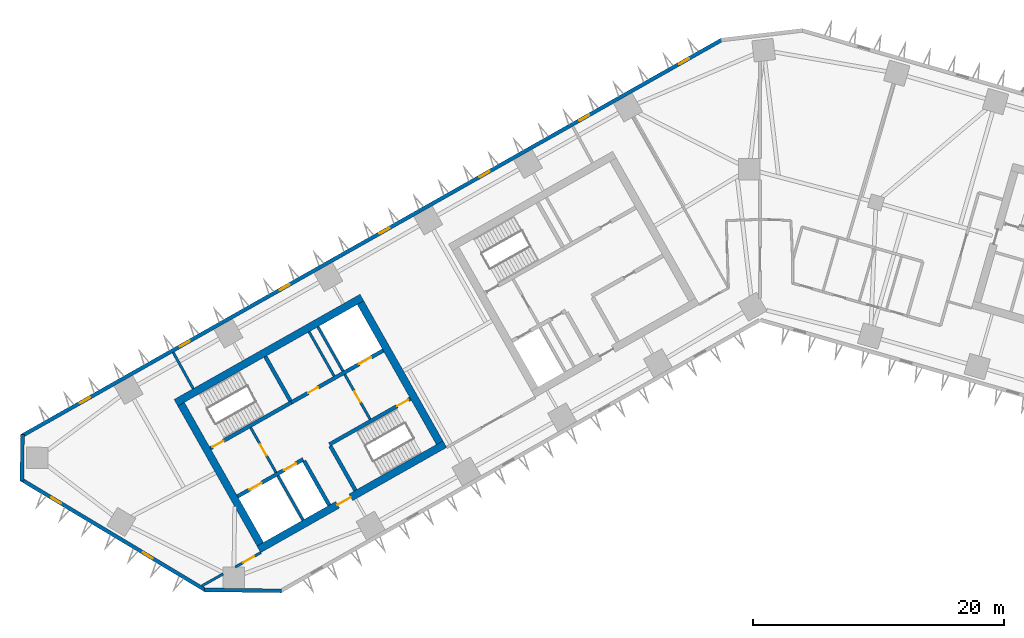
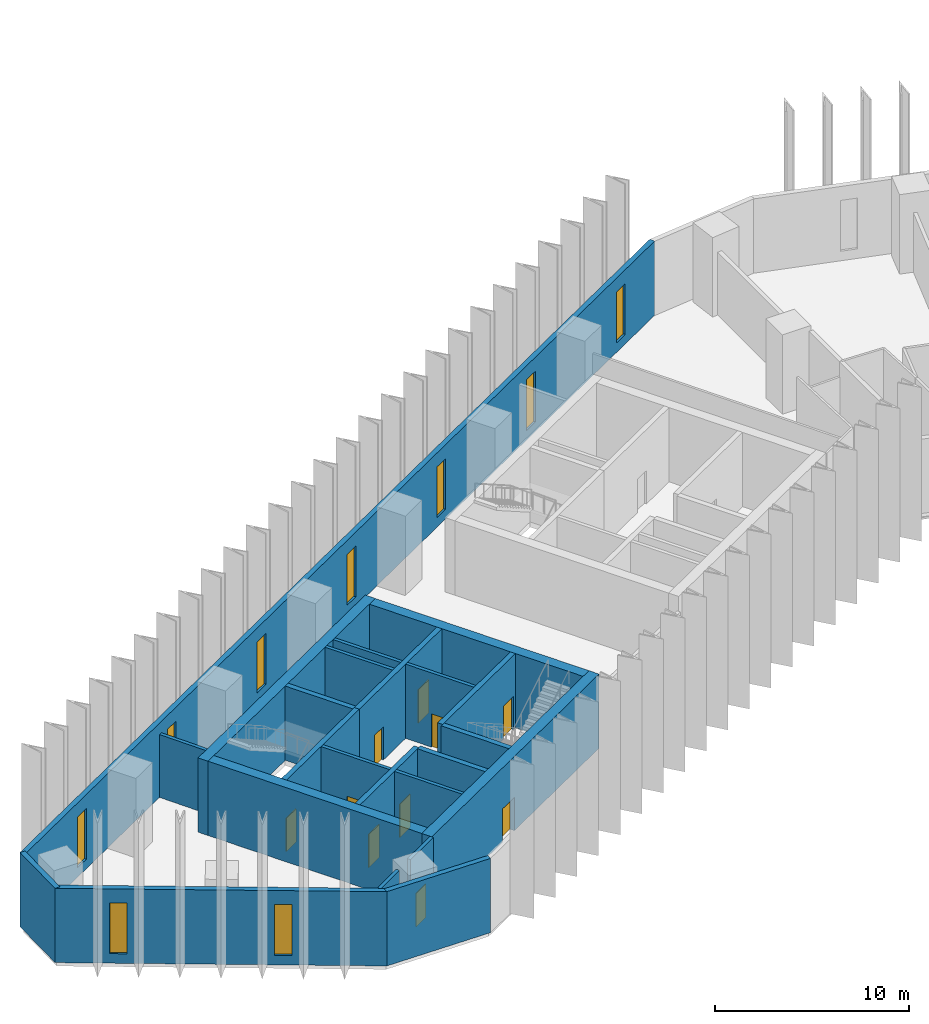
# One storey, part 3 of 11: 23 walls, 10 doors, 9 windows, 19 openings.
"""IFC4 building model written with IfcOpenShell, lengths in metres."""

from ifc_helpers import new_model, si_unit, direction, frame, frame_2d, origin, place, context, subcontext, project, spatial, rectangle, extrude, material, layer, layer_set, type_object, element, fill, save


model = new_model("IFC4")

# Units and contexts
model_context = context("Model", 3, precision=1e-05, world=origin(), true_north=direction((0.0, 1.0)))
body_context = subcontext(model_context, "Body", "Model", "MODEL_VIEW")
ifc_project = project(units=[si_unit("LENGTHUNIT", "METRE"), si_unit("AREAUNIT", "SQUARE_METRE"), si_unit("VOLUMEUNIT", "CUBIC_METRE"), si_unit("PLANEANGLEUNIT", "RADIAN"), si_unit("MASSUNIT", "GRAM", prefix="KILO")], contexts=[model_context])

# Site, building, storey
site_placement = place(None, origin())
site = spatial("IfcSite", under=ifc_project, at=site_placement, CompositionType="ELEMENT")
building_placement = place(site_placement, origin())
building = spatial("IfcBuilding", under=site, at=building_placement, Name="Binnacle Exchange Tower", CompositionType="ELEMENT")
storey_placement = place(building_placement, frame((0.0, 0.0, 46.5)))
storey = spatial("IfcBuildingStorey", under=building, at=storey_placement, Name="L09", CompositionType="ELEMENT", Elevation=46.5)

# Wall, openings, doors
ifc_material_1 = material(Name="Concrete C70/85", Category="concrete")
ifc_layer_1 = layer(ifc_material_1, 0.300048828125)
ifc_layer_set_1 = layer_set([ifc_layer_1], Name="Core wall - front 300")
wall_type_1 = type_object("IfcWallType", Name="Core wall - front 300", PredefinedType="SOLIDWALL", material=ifc_layer_set_1)
wall_1_placement = place(storey_placement, frame((-41.555908203125, 33.9609375, 0.0), z_axis=(0.0, 0.0, 1.0), x_axis=(0.870343731308, 0.492444706919, 0.0)))
wall_1 = element("IfcWall", 1, at=wall_1_placement, inside=storey, type_object=wall_type_1, Name="Core wall CRWA2", PredefinedType="SOLIDWALL", context=body_context, shape_type="SweptSolid", body=[
    extrude(rectangle(XDim=5.999755859375, YDim=0.300048828125, at=frame_2d((3.0, 0.0))), origin(), (0.0, 0.0, 1.0), 4.679931640625),
])
opening_1_placement = place(wall_1_placement, frame((1.099853515625, 0.0, 0.0)))
opening_1 = element("IfcOpeningElement", 2, at=opening_1_placement, cuts=wall_1, Name="Opening LD12", PredefinedType="OPENING", context=body_context, shape_type="SweptSolid", body=[
    extrude(rectangle(XDim=1.10009765625, YDim=2.10009765625, at=frame_2d((0.550048828125, 1.050048828125))), frame((0.0, 0.159912109375, 0.0), z_axis=(0.0, -1.0, 0.0), x_axis=(1.0, 0.0, 0.0)), (0.0, 0.0, 1.0), 0.320068359375),
])
opening_2_placement = place(wall_1_placement, frame((4.25, 0.0, 0.0)))
opening_2 = element("IfcOpeningElement", 3, at=opening_2_placement, cuts=wall_1, Name="Opening LD8", PredefinedType="OPENING", context=body_context, shape_type="SweptSolid", body=[
    extrude(rectangle(XDim=1.10009765625, YDim=2.10009765625, at=frame_2d((0.550048828125, 1.050048828125))), frame((0.0, 0.159912109375, 0.0), z_axis=(0.0, -1.0, 0.0), x_axis=(1.0, 0.0, 0.0)), (0.0, 0.0, 1.0), 0.320068359375),
])
ifc_material_2 = material(Name="Steel door leaf", Category="steel")
door_type_1 = type_object("IfcDoorType", Name="Fire door - lift landing 1100", OperationType="NOTDEFINED", PredefinedType="DOOR", material=ifc_material_2)
door_1_placement = place(opening_1_placement, origin())
door_1 = element("IfcDoor", 4, at=door_1_placement, inside=storey, type_object=door_type_1, Name="Landing door LD12 L09", OperationType="DOUBLE_DOOR_SLIDING", OverallHeight=2.10009765625, OverallWidth=1.10009765625, PredefinedType="DOOR", context=body_context, shape_type="SweptSolid", body=[
    extrude(rectangle(XDim=1.10009765625, YDim=2.10009765625, at=frame_2d((0.550048828125, 1.050048828125))), frame((0.0, 0.02490234375, 0.0), z_axis=(0.0, -1.0, 0.0), x_axis=(1.0, 0.0, 0.0)), (0.0, 0.0, 1.0), 0.050048828125),
])
fill(opening_1, door_1)
door_2_placement = place(opening_2_placement, origin())
door_2 = element("IfcDoor", 5, at=door_2_placement, inside=storey, type_object=door_type_1, Name="Landing door LD8 L09", OperationType="DOUBLE_DOOR_SLIDING", OverallHeight=2.10009765625, OverallWidth=1.10009765625, PredefinedType="DOOR", context=body_context, shape_type="SweptSolid", body=[
    extrude(rectangle(XDim=1.10009765625, YDim=2.10009765625, at=frame_2d((0.550048828125, 1.050048828125))), frame((0.0, 0.02490234375, 0.0), z_axis=(0.0, -1.0, 0.0), x_axis=(1.0, 0.0, 0.0)), (0.0, 0.0, 1.0), 0.050048828125),
])
fill(opening_2, door_2)

wall_2_placement = place(storey_placement, frame((-37.281982421875, 41.4345703125, 0.0), z_axis=(0.0, 0.0, 1.0), x_axis=(0.870356516133, 0.492422110414, 0.0)))
wall_2 = element("IfcWall", 6, at=wall_2_placement, inside=storey, type_object=wall_type_1, Name="Core wall CRWA5", PredefinedType="SOLIDWALL", context=body_context, shape_type="SweptSolid", body=[
    extrude(rectangle(XDim=8.399658203125, YDim=0.300048828125, at=frame_2d((4.19970703125, 0.0))), origin(), (0.0, 0.0, 1.0), 4.679931640625),
])
opening_3_placement = place(wall_2_placement, frame((6.199951171875, 0.0, 0.0)))
opening_3 = element("IfcOpeningElement", 7, at=opening_3_placement, cuts=wall_2, Name="Opening LD13", PredefinedType="OPENING", context=body_context, shape_type="SweptSolid", body=[
    extrude(rectangle(XDim=1.10009765625, YDim=2.10009765625, at=frame_2d((0.550048828125, 1.050048828125))), frame((0.0, 0.159912109375, 0.0), z_axis=(0.0, -1.0, 0.0), x_axis=(1.0, 0.0, 0.0)), (0.0, 0.0, 1.0), 0.320068359375),
])
opening_4_placement = place(wall_2_placement, frame((1.550048828125, 0.0, 0.0)))
opening_4 = element("IfcOpeningElement", 8, at=opening_4_placement, cuts=wall_2, Name="Opening DA10", PredefinedType="OPENING", context=body_context, shape_type="SweptSolid", body=[
    extrude(rectangle(XDim=0.89990234375, YDim=2.10009765625, at=frame_2d((0.449951171875, 1.050048828125))), frame((0.0, 0.159912109375, 0.0), z_axis=(0.0, -1.0, 0.0), x_axis=(1.0, 0.0, 0.0)), (0.0, 0.0, 1.0), 0.320068359375),
])
door_3_placement = place(opening_3_placement, origin())
door_3 = element("IfcDoor", 9, at=door_3_placement, inside=storey, type_object=door_type_1, Name="Landing door LD13 L09", OperationType="DOUBLE_DOOR_SLIDING", OverallHeight=2.10009765625, OverallWidth=1.10009765625, PredefinedType="DOOR", context=body_context, shape_type="SweptSolid", body=[
    extrude(rectangle(XDim=1.10009765625, YDim=2.10009765625, at=frame_2d((0.550048828125, 1.050048828125))), frame((0.0, 0.02490234375, 0.0), z_axis=(0.0, -1.0, 0.0), x_axis=(1.0, 0.0, 0.0)), (0.0, 0.0, 1.0), 0.050048828125),
])
fill(opening_3, door_3)
door_type_2 = type_object("IfcDoorType", Name="Fire door 900", OperationType="NOTDEFINED", PredefinedType="DOOR", material=ifc_material_2)
door_4_placement = place(opening_4_placement, origin())
door_4 = element("IfcDoor", 10, at=door_4_placement, inside=storey, type_object=door_type_2, Name="Core room door PANTRY", OperationType="SINGLE_SWING_LEFT", OverallHeight=2.10009765625, OverallWidth=0.89990234375, PredefinedType="DOOR", context=body_context, shape_type="SweptSolid", body=[
    extrude(rectangle(XDim=0.89990234375, YDim=2.10009765625, at=frame_2d((0.449951171875, 1.050048828125))), frame((0.0, 0.02490234375, 0.0), z_axis=(0.0, -1.0, 0.0), x_axis=(1.0, 0.0, 0.0)), (0.0, 0.0, 1.0), 0.050048828125),
])
fill(opening_4, door_4)

# Wall
wall_3_placement = place(storey_placement, frame((-36.260009765625, 36.784912109375, 0.0), z_axis=(0.0, 0.0, 1.0), x_axis=(0.492440575896, -0.870346068648, 0.0)))
element("IfcWall", 11, at=wall_3_placement, inside=storey, type_object=wall_type_1, Name="Core wall CRWA13", PredefinedType="SOLIDWALL", context=body_context, shape_type="SweptSolid", body=[
    extrude(rectangle(XDim=4.050048828125, YDim=0.300048828125, at=frame_2d((2.02490234375, 0.0))), origin(), (0.0, 0.0, 1.0), 4.679931640625),
])

# Wall, opening, door
ifc_layer_2 = layer(ifc_material_1, 0.60009765625)
ifc_layer_set_2 = layer_set([ifc_layer_2], Name="Core wall - outer 600")
wall_type_2 = type_object("IfcWallType", Name="Core wall - outer 600", PredefinedType="SOLIDWALL", material=ifc_layer_set_2)
wall_4_placement = place(storey_placement, frame((-39.8623046875, 29.748779296875, 0.0), z_axis=(0.0, 0.0, 1.0), x_axis=(0.870350116061, 0.492433422375, 0.0)))
wall_4 = element("IfcWall", 12, at=wall_4_placement, inside=storey, type_object=wall_type_2, Name="Core wall CRWA1", PredefinedType="SOLIDWALL", context=body_context, shape_type="SweptSolid", body=[
    extrude(rectangle(XDim=17.0, YDim=0.60009765625, at=frame_2d((8.5, 0.0))), origin(), (0.0, 0.0, 1.0), 4.679931640625),
])
opening_5_placement = place(wall_4_placement, frame((7.199951171875, 0.0, 0.0)))
opening_5 = element("IfcOpeningElement", 13, at=opening_5_placement, cuts=wall_4, Name="Opening DA7", PredefinedType="OPENING", context=body_context, shape_type="SweptSolid", body=[
    extrude(rectangle(XDim=1.199951171875, YDim=2.10009765625, at=frame_2d((0.60009765625, 1.050048828125))), frame((0.0, 0.31005859375, 0.0), z_axis=(0.0, -1.0, 0.0), x_axis=(1.0, 0.0, 0.0)), (0.0, 0.0, 1.0), 0.6201171875),
])
door_type_3 = type_object("IfcDoorType", Name="Fire door 1200", OperationType="NOTDEFINED", PredefinedType="DOOR", material=ifc_material_2)
door_5_placement = place(opening_5_placement, frame((1.199951171875, 0.0, 0.0), z_axis=(0.0, 0.0, 1.0), x_axis=(-1.0, 0.0, 0.0)))
door_5 = element("IfcDoor", 14, at=door_5_placement, inside=storey, type_object=door_type_3, Name="Lift lobby entrance door core A", OperationType="SINGLE_SWING_RIGHT", OverallHeight=2.10009765625, OverallWidth=1.199951171875, PredefinedType="DOOR", context=body_context, shape_type="SweptSolid", body=[
    extrude(rectangle(XDim=1.199951171875, YDim=2.10009765625, at=frame_2d((0.60009765625, 1.050048828125))), frame((0.0, 0.02490234375, 0.0), z_axis=(0.0, -1.0, 0.0), x_axis=(1.0, 0.0, 0.0)), (0.0, 0.0, 1.0), 0.050048828125),
])
fill(opening_5, door_5)

# Walls
wall_5_placement = place(storey_placement, frame((-46.460693359375, 41.41162109375, 0.0), z_axis=(0.0, 0.0, 1.0), x_axis=(0.870350116061, 0.492433422375, 0.0)))
element("IfcWall", 15, at=wall_5_placement, inside=storey, type_object=wall_type_2, Name="Core wall CRWA6", PredefinedType="SOLIDWALL", context=body_context, shape_type="SweptSolid", body=[
    extrude(rectangle(XDim=17.0, YDim=0.60009765625, at=frame_2d((8.5, 0.0))), origin(), (0.0, 0.0, 1.0), 4.679931640625),
])
for number, where, z_axis, x_axis, name in (
    (16, (-46.052001953125, 41.29833984375, 0.0), (0.0, 0.0, 1.0), (0.492418598281, -0.870358503186, 0.0), "Core wall CRWA7"),
    (17, (-31.7783203125, 49.3740234375, 0.0), (0.0, 0.0, 1.0), (0.492433046652, -0.870350328641, 0.0), "Core wall CRWA22"),
):
    element("IfcWall", number, at=place(storey_placement, frame(where, z_axis=z_axis, x_axis=x_axis)), inside=storey, type_object=wall_type_2, Name=name, PredefinedType="SOLIDWALL", context=body_context, shape_type="SweptSolid", body=[
        extrude(rectangle(XDim=12.800048828125, YDim=0.60009765625, at=frame_2d((6.39990234375, 0.0))), origin(), (0.0, 0.0, 1.0), 4.679931640625),
    ])

# Wall, opening, door
ifc_layer_3 = layer(ifc_material_1, 0.300048828125)
ifc_layer_set_3 = layer_set([ifc_layer_3], Name="Core wall - stair 300")
wall_type_3 = type_object("IfcWallType", Name="Core wall - stair 300", PredefinedType="SOLIDWALL", material=ifc_layer_set_3)
wall_6_placement = place(storey_placement, frame((-34.2451171875, 38.097412109375, 0.0), z_axis=(0.0, 0.0, 1.0), x_axis=(0.870364910201, 0.492407273597, 0.0)))
wall_6 = element("IfcWall", 18, at=wall_6_placement, inside=storey, type_object=wall_type_3, Name="Core wall CRWA3", PredefinedType="SOLIDWALL", context=body_context, shape_type="SweptSolid", body=[
    extrude(rectangle(XDim=7.39990234375, YDim=0.300048828125, at=frame_2d((3.699951171875, 0.0))), origin(), (0.0, 0.0, 1.0), 4.679931640625),
])
opening_6_placement = place(wall_6_placement, frame((6.199951171875, 0.0, 0.0)))
opening_6 = element("IfcOpeningElement", 19, at=opening_6_placement, cuts=wall_6, Name="Opening DA2", PredefinedType="OPENING", context=body_context, shape_type="SweptSolid", body=[
    extrude(rectangle(XDim=1.0, YDim=2.10009765625, at=frame_2d((0.5, 1.050048828125))), frame((0.0, 0.159912109375, 0.0), z_axis=(0.0, -1.0, 0.0), x_axis=(1.0, 0.0, 0.0)), (0.0, 0.0, 1.0), 0.320068359375),
])
door_type_4 = type_object("IfcDoorType", Name="Fire door 1000", OperationType="NOTDEFINED", PredefinedType="DOOR", material=ifc_material_2)
door_6_placement = place(opening_6_placement, frame((1.0, 0.0, 0.0), z_axis=(0.0, 0.0, 1.0), x_axis=(-1.0, 0.0, 0.0)))
door_6 = element("IfcDoor", 20, at=door_6_placement, inside=storey, type_object=door_type_4, Name="Stair door ST-A2", OperationType="SINGLE_SWING_LEFT", OverallHeight=2.10009765625, OverallWidth=1.0, PredefinedType="DOOR", context=body_context, shape_type="SweptSolid", body=[
    extrude(rectangle(XDim=1.0, YDim=2.10009765625, at=frame_2d((0.5, 1.050048828125))), frame((0.0, 0.02490234375, 0.0), z_axis=(0.0, -1.0, 0.0), x_axis=(1.0, 0.0, 0.0)), (0.0, 0.0, 1.0), 0.050048828125),
])
fill(opening_6, door_6)

wall_7_placement = place(storey_placement, frame((-43.72265625, 37.79052734375, 0.0), z_axis=(0.0, 0.0, 1.0), x_axis=(0.87035077051, 0.49243226567, 0.0)))
wall_7 = element("IfcWall", 21, at=wall_7_placement, inside=storey, type_object=wall_type_3, Name="Core wall CRWA4", PredefinedType="SOLIDWALL", context=body_context, shape_type="SweptSolid", body=[
    extrude(rectangle(XDim=7.400146484375, YDim=0.300048828125, at=frame_2d((3.7001953125, 0.0))), origin(), (0.0, 0.0, 1.0), 4.679931640625),
])
opening_7_placement = place(wall_7_placement, frame((0.199951171875, 0.0, 0.0)))
opening_7 = element("IfcOpeningElement", 22, at=opening_7_placement, cuts=wall_7, Name="Opening DA1", PredefinedType="OPENING", context=body_context, shape_type="SweptSolid", body=[
    extrude(rectangle(XDim=1.0, YDim=2.10009765625, at=frame_2d((0.5, 1.050048828125))), frame((0.0, 0.159912109375, 0.0), z_axis=(0.0, -1.0, 0.0), x_axis=(1.0, 0.0, 0.0)), (0.0, 0.0, 1.0), 0.320068359375),
])
door_7_placement = place(opening_7_placement, origin())
door_7 = element("IfcDoor", 23, at=door_7_placement, inside=storey, type_object=door_type_4, Name="Stair door ST-A1", OperationType="SINGLE_SWING_LEFT", OverallHeight=2.10009765625, OverallWidth=1.0, PredefinedType="DOOR", context=body_context, shape_type="SweptSolid", body=[
    extrude(rectangle(XDim=1.0, YDim=2.10009765625, at=frame_2d((0.5, 1.050048828125))), frame((0.0, 0.02490234375, 0.0), z_axis=(0.0, -1.0, 0.0), x_axis=(1.0, 0.0, 0.0)), (0.0, 0.0, 1.0), 0.050048828125),
])
fill(opening_7, door_7)

# Walls
wall_8_placement = place(storey_placement, frame((-39.350341796875, 45.090087890625, 0.0), z_axis=(0.0, 0.0, 1.0), x_axis=(0.49241474071, -0.870360685654, 0.0)))
element("IfcWall", 24, at=wall_8_placement, inside=storey, type_object=wall_type_3, Name="Core wall CRWA14", PredefinedType="SOLIDWALL", context=body_context, shape_type="SweptSolid", body=[
    extrude(rectangle(XDim=4.05029296875, YDim=0.300048828125, at=frame_2d((2.025146484375, 0.0))), origin(), (0.0, 0.0, 1.0), 4.679931640625),
])
wall_9_placement = place(storey_placement, frame((-34.171142578125, 37.966796875, 0.0), z_axis=(0.0, 0.0, 1.0), x_axis=(0.492394910396, -0.870371904542, 0.0)))
element("IfcWall", 25, at=wall_9_placement, inside=storey, type_object=wall_type_3, Name="Core wall CRWA16", PredefinedType="SOLIDWALL", context=body_context, shape_type="SweptSolid", body=[
    extrude(rectangle(XDim=4.0498046875, YDim=0.300048828125, at=frame_2d((2.02490234375, 0.0))), origin(), (0.0, 0.0, 1.0), 4.679931640625),
])

# Wall, openings, windows
ifc_material_3 = material(Name="Bronze aluminium cladding", Category="aluminium")
ifc_layer_4 = layer(ifc_material_3, 0.300048828125)
ifc_layer_set_4 = layer_set([ifc_layer_4], Name="External wall - spandrel 300")
wall_type_4 = type_object("IfcWallType", Name="External wall - spandrel 300", PredefinedType="STANDARD", material=ifc_layer_set_4)
wall_10_placement = place(storey_placement, frame((-58.744873046875, 38.763671875, 0.0), z_axis=(0.0, 0.0, 1.0), x_axis=(0.870355811726, 0.492423355453, 0.0)))
wall_10 = element("IfcWall", 26, at=wall_10_placement, inside=storey, type_object=wall_type_4, Name="External wall EW-F03 L09", PredefinedType="STANDARD", context=body_context, shape_type="SweptSolid", body=[
    extrude(rectangle(XDim=64.025390625, YDim=0.300048828125, at=frame_2d((32.0126953125, 0.0))), origin(), (0.0, 0.0, 1.0), 4.679931640625),
])
opening_8_placement = place(wall_10_placement, frame((60.12158203125, 0.0, 0.60009765625)))
opening_8 = element("IfcOpeningElement", 27, at=opening_8_placement, cuts=wall_10, Name="Opening WS1", PredefinedType="OPENING", context=body_context, shape_type="SweptSolid", body=[
    extrude(rectangle(XDim=0.89990234375, YDim=3.199951171875, at=frame_2d((0.449951171875, 1.60009765625))), frame((0.0, 0.159912109375, 0.0), z_axis=(0.0, -1.0, 0.0), x_axis=(1.0, 0.0, 0.0)), (0.0, 0.0, 1.0), 0.320068359375),
])
opening_9_placement = place(wall_10_placement, frame((50.99169921875, 0.0, 0.60009765625)))
opening_9 = element("IfcOpeningElement", 28, at=opening_9_placement, cuts=wall_10, Name="Opening WS1", PredefinedType="OPENING", context=body_context, shape_type="SweptSolid", body=[
    extrude(rectangle(XDim=0.89990234375, YDim=3.199951171875, at=frame_2d((0.449951171875, 1.60009765625))), frame((0.0, 0.159912109375, 0.0), z_axis=(0.0, -1.0, 0.0), x_axis=(1.0, 0.0, 0.0)), (0.0, 0.0, 1.0), 0.320068359375),
])
opening_10_placement = place(wall_10_placement, frame((41.86181640625, 0.0, 0.60009765625)))
opening_10 = element("IfcOpeningElement", 29, at=opening_10_placement, cuts=wall_10, Name="Opening WS1", PredefinedType="OPENING", context=body_context, shape_type="SweptSolid", body=[
    extrude(rectangle(XDim=0.89990234375, YDim=3.199951171875, at=frame_2d((0.449951171875, 1.60009765625))), frame((0.0, 0.159912109375, 0.0), z_axis=(0.0, -1.0, 0.0), x_axis=(1.0, 0.0, 0.0)), (0.0, 0.0, 1.0), 0.320068359375),
])
opening_11_placement = place(wall_10_placement, frame((32.73193359375, 0.0, 0.60009765625)))
opening_11 = element("IfcOpeningElement", 30, at=opening_11_placement, cuts=wall_10, Name="Opening WS1", PredefinedType="OPENING", context=body_context, shape_type="SweptSolid", body=[
    extrude(rectangle(XDim=0.89990234375, YDim=3.199951171875, at=frame_2d((0.449951171875, 1.60009765625))), frame((0.0, 0.159912109375, 0.0), z_axis=(0.0, -1.0, 0.0), x_axis=(1.0, 0.0, 0.0)), (0.0, 0.0, 1.0), 0.320068359375),
])
opening_12_placement = place(wall_10_placement, frame((23.60205078125, 0.0, 0.60009765625)))
opening_12 = element("IfcOpeningElement", 31, at=opening_12_placement, cuts=wall_10, Name="Opening WS1", PredefinedType="OPENING", context=body_context, shape_type="SweptSolid", body=[
    extrude(rectangle(XDim=0.89990234375, YDim=3.199951171875, at=frame_2d((0.449951171875, 1.60009765625))), frame((0.0, 0.159912109375, 0.0), z_axis=(0.0, -1.0, 0.0), x_axis=(1.0, 0.0, 0.0)), (0.0, 0.0, 1.0), 0.320068359375),
])
opening_13_placement = place(wall_10_placement, frame((14.47216796875, 0.0, 0.60009765625)))
opening_13 = element("IfcOpeningElement", 32, at=opening_13_placement, cuts=wall_10, Name="Opening WS1", PredefinedType="OPENING", context=body_context, shape_type="SweptSolid", body=[
    extrude(rectangle(XDim=0.89990234375, YDim=3.199951171875, at=frame_2d((0.449951171875, 1.60009765625))), frame((0.0, 0.159912109375, 0.0), z_axis=(0.0, -1.0, 0.0), x_axis=(1.0, 0.0, 0.0)), (0.0, 0.0, 1.0), 0.320068359375),
])
opening_14_placement = place(wall_10_placement, frame((5.34228515625, 0.0, 0.60009765625)))
opening_14 = element("IfcOpeningElement", 33, at=opening_14_placement, cuts=wall_10, Name="Opening WS1", PredefinedType="OPENING", context=body_context, shape_type="SweptSolid", body=[
    extrude(rectangle(XDim=0.89990234375, YDim=3.199951171875, at=frame_2d((0.449951171875, 1.60009765625))), frame((0.0, 0.159912109375, 0.0), z_axis=(0.0, -1.0, 0.0), x_axis=(1.0, 0.0, 0.0)), (0.0, 0.0, 1.0), 0.320068359375),
])
ifc_material_4 = material(Name="Bronze anodised aluminium frame", Category="aluminium")
window_type = type_object("IfcWindowType", Name="WS1 WINDOW 900x3200", PartitioningType="SINGLE_PANEL", PredefinedType="WINDOW", material=ifc_material_4)
window_1_placement = place(opening_8_placement, origin())
window_1 = element("IfcWindow", 34, at=window_1_placement, inside=storey, type_object=window_type, Name="Window WS1 L09", OverallHeight=3.199951171875, OverallWidth=0.89990234375, PartitioningType="SINGLE_PANEL", PredefinedType="WINDOW", context=body_context, shape_type="SweptSolid", body=[
    extrude(rectangle(XDim=0.89990234375, YDim=3.199951171875, at=frame_2d((0.449951171875, 1.60009765625))), frame((0.0, 0.030029296875, 0.0), z_axis=(0.0, -1.0, 0.0), x_axis=(1.0, 0.0, 0.0)), (0.0, 0.0, 1.0), 0.06005859375),
])
fill(opening_8, window_1)
window_2_placement = place(opening_9_placement, origin())
window_2 = element("IfcWindow", 35, at=window_2_placement, inside=storey, type_object=window_type, Name="Window WS1 L09", OverallHeight=3.199951171875, OverallWidth=0.89990234375, PartitioningType="SINGLE_PANEL", PredefinedType="WINDOW", context=body_context, shape_type="SweptSolid", body=[
    extrude(rectangle(XDim=0.89990234375, YDim=3.199951171875, at=frame_2d((0.449951171875, 1.60009765625))), frame((0.0, 0.030029296875, 0.0), z_axis=(0.0, -1.0, 0.0), x_axis=(1.0, 0.0, 0.0)), (0.0, 0.0, 1.0), 0.06005859375),
])
fill(opening_9, window_2)
window_3_placement = place(opening_10_placement, origin())
window_3 = element("IfcWindow", 36, at=window_3_placement, inside=storey, type_object=window_type, Name="Window WS1 L09", OverallHeight=3.199951171875, OverallWidth=0.89990234375, PartitioningType="SINGLE_PANEL", PredefinedType="WINDOW", context=body_context, shape_type="SweptSolid", body=[
    extrude(rectangle(XDim=0.89990234375, YDim=3.199951171875, at=frame_2d((0.449951171875, 1.60009765625))), frame((0.0, 0.030029296875, 0.0), z_axis=(0.0, -1.0, 0.0), x_axis=(1.0, 0.0, 0.0)), (0.0, 0.0, 1.0), 0.06005859375),
])
fill(opening_10, window_3)
window_4_placement = place(opening_11_placement, origin())
window_4 = element("IfcWindow", 37, at=window_4_placement, inside=storey, type_object=window_type, Name="Window WS1 L09", OverallHeight=3.199951171875, OverallWidth=0.89990234375, PartitioningType="SINGLE_PANEL", PredefinedType="WINDOW", context=body_context, shape_type="SweptSolid", body=[
    extrude(rectangle(XDim=0.89990234375, YDim=3.199951171875, at=frame_2d((0.449951171875, 1.60009765625))), frame((0.0, 0.030029296875, 0.0), z_axis=(0.0, -1.0, 0.0), x_axis=(1.0, 0.0, 0.0)), (0.0, 0.0, 1.0), 0.06005859375),
])
fill(opening_11, window_4)
window_5_placement = place(opening_12_placement, origin())
window_5 = element("IfcWindow", 38, at=window_5_placement, inside=storey, type_object=window_type, Name="Window WS1 L09", OverallHeight=3.199951171875, OverallWidth=0.89990234375, PartitioningType="SINGLE_PANEL", PredefinedType="WINDOW", context=body_context, shape_type="SweptSolid", body=[
    extrude(rectangle(XDim=0.89990234375, YDim=3.199951171875, at=frame_2d((0.449951171875, 1.60009765625))), frame((0.0, 0.030029296875, 0.0), z_axis=(0.0, -1.0, 0.0), x_axis=(1.0, 0.0, 0.0)), (0.0, 0.0, 1.0), 0.06005859375),
])
fill(opening_12, window_5)
window_6_placement = place(opening_13_placement, origin())
window_6 = element("IfcWindow", 39, at=window_6_placement, inside=storey, type_object=window_type, Name="Window WS1 L09", OverallHeight=3.199951171875, OverallWidth=0.89990234375, PartitioningType="SINGLE_PANEL", PredefinedType="WINDOW", context=body_context, shape_type="SweptSolid", body=[
    extrude(rectangle(XDim=0.89990234375, YDim=3.199951171875, at=frame_2d((0.449951171875, 1.60009765625))), frame((0.0, 0.030029296875, 0.0), z_axis=(0.0, -1.0, 0.0), x_axis=(1.0, 0.0, 0.0)), (0.0, 0.0, 1.0), 0.06005859375),
])
fill(opening_13, window_6)
window_7_placement = place(opening_14_placement, origin())
window_7 = element("IfcWindow", 40, at=window_7_placement, inside=storey, type_object=window_type, Name="Window WS1 L09", OverallHeight=3.199951171875, OverallWidth=0.89990234375, PartitioningType="SINGLE_PANEL", PredefinedType="WINDOW", context=body_context, shape_type="SweptSolid", body=[
    extrude(rectangle(XDim=0.89990234375, YDim=3.199951171875, at=frame_2d((0.449951171875, 1.60009765625))), frame((0.0, 0.030029296875, 0.0), z_axis=(0.0, -1.0, 0.0), x_axis=(1.0, 0.0, 0.0)), (0.0, 0.0, 1.0), 0.06005859375),
])
fill(opening_14, window_7)

# Wall
wall_11_placement = place(storey_placement, frame((-58.717041015625, 35.19384765625, 0.0), z_axis=(0.0, 0.0, 1.0), x_axis=(0.013069053407, 0.999914596275, 0.0)))
element("IfcWall", 41, at=wall_11_placement, inside=storey, type_object=wall_type_4, Name="External wall EW-F04 L09", PredefinedType="STANDARD", context=body_context, shape_type="SweptSolid", body=[
    extrude(rectangle(XDim=3.69873046875, YDim=0.300048828125, at=frame_2d((1.849365234375, 0.0))), origin(), (0.0, 0.0, 1.0), 4.679931640625),
])

# Wall, openings, windows
wall_12_placement = place(storey_placement, frame((-44.109375, 26.503662109375, 0.0), z_axis=(0.0, 0.0, 1.0), x_axis=(-0.857169502585, 0.515034410344, 0.0)))
wall_12 = element("IfcWall", 42, at=wall_12_placement, inside=storey, type_object=wall_type_4, Name="External wall EW-F05 L09", PredefinedType="STANDARD", context=body_context, shape_type="SweptSolid", body=[
    extrude(rectangle(XDim=17.126708984375, YDim=0.300048828125, at=frame_2d((8.5634765625, 0.0))), origin(), (0.0, 0.0, 1.0), 4.679931640625),
])
opening_15_placement = place(wall_12_placement, frame((13.403076171875, 0.0, 0.60009765625)))
opening_15 = element("IfcOpeningElement", 43, at=opening_15_placement, cuts=wall_12, Name="Opening WS1", PredefinedType="OPENING", context=body_context, shape_type="SweptSolid", body=[
    extrude(rectangle(XDim=0.89990234375, YDim=3.199951171875, at=frame_2d((0.449951171875, 1.60009765625))), frame((0.0, 0.159912109375, 0.0), z_axis=(0.0, -1.0, 0.0), x_axis=(1.0, 0.0, 0.0)), (0.0, 0.0, 1.0), 0.320068359375),
])
opening_16_placement = place(wall_12_placement, frame((4.903076171875, 0.0, 0.60009765625)))
opening_16 = element("IfcOpeningElement", 44, at=opening_16_placement, cuts=wall_12, Name="Opening WS1", PredefinedType="OPENING", context=body_context, shape_type="SweptSolid", body=[
    extrude(rectangle(XDim=0.89990234375, YDim=3.199951171875, at=frame_2d((0.449951171875, 1.60009765625))), frame((0.0, 0.159912109375, 0.0), z_axis=(0.0, -1.0, 0.0), x_axis=(1.0, 0.0, 0.0)), (0.0, 0.0, 1.0), 0.320068359375),
])
window_8_placement = place(opening_15_placement, origin())
window_8 = element("IfcWindow", 45, at=window_8_placement, inside=storey, type_object=window_type, Name="Window WS1 L09", OverallHeight=3.199951171875, OverallWidth=0.89990234375, PartitioningType="SINGLE_PANEL", PredefinedType="WINDOW", context=body_context, shape_type="SweptSolid", body=[
    extrude(rectangle(XDim=0.89990234375, YDim=3.199951171875, at=frame_2d((0.449951171875, 1.60009765625))), frame((0.0, 0.030029296875, 0.0), z_axis=(0.0, -1.0, 0.0), x_axis=(1.0, 0.0, 0.0)), (0.0, 0.0, 1.0), 0.06005859375),
])
fill(opening_15, window_8)
window_9_placement = place(opening_16_placement, origin())
window_9 = element("IfcWindow", 46, at=window_9_placement, inside=storey, type_object=window_type, Name="Window WS1 L09", OverallHeight=3.199951171875, OverallWidth=0.89990234375, PartitioningType="SINGLE_PANEL", PredefinedType="WINDOW", context=body_context, shape_type="SweptSolid", body=[
    extrude(rectangle(XDim=0.89990234375, YDim=3.199951171875, at=frame_2d((0.449951171875, 1.60009765625))), frame((0.0, 0.030029296875, 0.0), z_axis=(0.0, -1.0, 0.0), x_axis=(1.0, 0.0, 0.0)), (0.0, 0.0, 1.0), 0.06005859375),
])
fill(opening_16, window_9)

# Walls
wall_13_placement = place(storey_placement, frame((-38.057373046875, 26.44482421875, 0.0), z_axis=(0.0, 0.0, 1.0), x_axis=(-0.999914086342, 0.013108010296, 0.0)))
element("IfcWall", 47, at=wall_13_placement, inside=storey, type_object=wall_type_4, Name="External wall EW-F06 L09", PredefinedType="STANDARD", context=body_context, shape_type="SweptSolid", body=[
    extrude(rectangle(XDim=6.127685546875, YDim=0.300048828125, at=frame_2d((3.06396484375, 0.0))), origin(), (0.0, 0.0, 1.0), 4.679931640625),
])
ifc_material_5 = material(Name="Masonry block wall", Category="masonry")
ifc_layer_5 = layer(ifc_material_5, 0.199951171875)
ifc_layer_set_5 = layer_set([ifc_layer_5], Name="Fire wall - block 200")
wall_type_5 = type_object("IfcWallType", Name="Fire wall - block 200", PredefinedType="PARTITIONING", material=ifc_layer_set_5)
wall_14_placement = place(storey_placement, frame((-46.677978515625, 45.4189453125, 0.0), z_axis=(0.0, 0.0, 1.0), x_axis=(0.483275206546, -0.875468488718, 0.0)))
element("IfcWall", 48, at=wall_14_placement, inside=storey, type_object=wall_type_5, Name="Partition W01", PredefinedType="PARTITIONING", context=body_context, shape_type="SweptSolid", body=[
    extrude(rectangle(XDim=3.294189453125, YDim=0.199951171875, at=frame_2d((1.64697265625, 0.0))), origin(), (0.0, 0.0, 1.0), 3.9599609375),
])
wall_15_placement = place(storey_placement, frame((-44.385986328125, 26.844970703125, 0.0), z_axis=(0.0, 0.0, 1.0), x_axis=(0.870226201187, 0.492652371118, 0.0)))
element("IfcWall", 49, at=wall_15_placement, inside=storey, type_object=wall_type_5, Name="Partition W02", PredefinedType="PARTITIONING", context=body_context, shape_type="SweptSolid", body=[
    extrude(rectangle(XDim=1.9326171875, YDim=0.199951171875, at=frame_2d((0.96630859375, 0.0))), origin(), (0.0, 0.0, 1.0), 4.679931640625),
])

# Wall, opening, door
wall_16_placement = place(storey_placement, frame((-41.738037109375, 28.343017578125, 0.0), z_axis=(0.0, 0.0, 1.0), x_axis=(0.870265350095, 0.492583211676, 0.0)))
wall_16 = element("IfcWall", 50, at=wall_16_placement, inside=storey, type_object=wall_type_5, Name="Partition W03", PredefinedType="PARTITIONING", context=body_context, shape_type="SweptSolid", body=[
    extrude(rectangle(XDim=2.324462890625, YDim=0.199951171875, at=frame_2d((1.162109375, 0.0))), origin(), (0.0, 0.0, 1.0), 4.679931640625),
])
opening_17_placement = place(wall_16_placement, frame((0.699951171875, 0.0, 0.0)))
opening_17 = element("IfcOpeningElement", 51, at=opening_17_placement, cuts=wall_16, Name="Opening DL08-01", PredefinedType="OPENING", context=body_context, shape_type="SweptSolid", body=[
    extrude(rectangle(XDim=1.0, YDim=2.10009765625, at=frame_2d((0.5, 1.050048828125))), frame((0.0, 0.10986328125, 0.0), z_axis=(0.0, -1.0, 0.0), x_axis=(1.0, 0.0, 0.0)), (0.0, 0.0, 1.0), 0.219970703125),
])
door_8_placement = place(opening_17_placement, origin())
door_8 = element("IfcDoor", 52, at=door_8_placement, inside=storey, type_object=door_type_4, Name="Door DL08-01", OperationType="SINGLE_SWING_RIGHT", OverallHeight=2.10009765625, OverallWidth=1.0, PredefinedType="DOOR", context=body_context, shape_type="SweptSolid", body=[
    extrude(rectangle(XDim=1.0, YDim=2.10009765625, at=frame_2d((0.5, 1.050048828125))), frame((0.0, 0.02490234375, 0.0), z_axis=(0.0, -1.0, 0.0), x_axis=(1.0, 0.0, 0.0)), (0.0, 0.0, 1.0), 0.050048828125),
])
fill(opening_17, door_8)

ifc_layer_6 = layer(ifc_material_5, 0.199951171875)
ifc_layer_set_6 = layer_set([ifc_layer_6], Name="Fire wall - vestibule 200")
wall_type_6 = type_object("IfcWallType", Name="Fire wall - vestibule 200", PredefinedType="PARTITIONING", material=ifc_layer_set_6)
wall_17_placement = place(storey_placement, frame((-40.515625, 39.4326171875, 0.0), z_axis=(0.0, 0.0, 1.0), x_axis=(0.492453559952, -0.87033872216, 0.0)))
wall_17 = element("IfcWall", 53, at=wall_17_placement, inside=storey, type_object=wall_type_6, Name="Core wall CRWA10", PredefinedType="PARTITIONING", context=body_context, shape_type="SweptSolid", body=[
    extrude(rectangle(XDim=4.099853515625, YDim=0.199951171875, at=frame_2d((2.0498046875, 0.0))), origin(), (0.0, 0.0, 1.0), 4.679931640625),
])
opening_18_placement = place(wall_17_placement, frame((1.550048828125, 0.0, 0.0)))
opening_18 = element("IfcOpeningElement", 54, at=opening_18_placement, cuts=wall_17, Name="Opening DA3", PredefinedType="OPENING", context=body_context, shape_type="SweptSolid", body=[
    extrude(rectangle(XDim=1.0, YDim=2.10009765625, at=frame_2d((0.5, 1.050048828125))), frame((0.0, 0.10986328125, 0.0), z_axis=(0.0, -1.0, 0.0), x_axis=(1.0, 0.0, 0.0)), (0.0, 0.0, 1.0), 0.219970703125),
])
door_9_placement = place(opening_18_placement, frame((1.0, 0.0, 0.0), z_axis=(0.0, 0.0, 1.0), x_axis=(-1.0, 0.0, 0.0)))
door_9 = element("IfcDoor", 55, at=door_9_placement, inside=storey, type_object=door_type_4, Name="Vestibule door VEST-W", OperationType="SINGLE_SWING_LEFT", OverallHeight=2.10009765625, OverallWidth=1.0, PredefinedType="DOOR", context=body_context, shape_type="SweptSolid", body=[
    extrude(rectangle(XDim=1.0, YDim=2.10009765625, at=frame_2d((0.5, 1.050048828125))), frame((0.0, 0.02490234375, 0.0), z_axis=(0.0, -1.0, 0.0), x_axis=(1.0, 0.0, 0.0)), (0.0, 0.0, 1.0), 0.050048828125),
])
fill(opening_18, door_9)

wall_18_placement = place(storey_placement, frame((-33.030517578125, 43.66748046875, 0.0), z_axis=(0.0, 0.0, 1.0), x_axis=(0.492408451753, -0.87036424366, 0.0)))
wall_18 = element("IfcWall", 56, at=wall_18_placement, inside=storey, type_object=wall_type_6, Name="Core wall CRWA19", PredefinedType="PARTITIONING", context=body_context, shape_type="SweptSolid", body=[
    extrude(rectangle(XDim=4.099853515625, YDim=0.199951171875, at=frame_2d((2.0498046875, 0.0))), origin(), (0.0, 0.0, 1.0), 4.679931640625),
])
opening_19_placement = place(wall_18_placement, frame((1.550048828125, 0.0, 0.0)))
opening_19 = element("IfcOpeningElement", 57, at=opening_19_placement, cuts=wall_18, Name="Opening DA4", PredefinedType="OPENING", context=body_context, shape_type="SweptSolid", body=[
    extrude(rectangle(XDim=1.0, YDim=2.10009765625, at=frame_2d((0.5, 1.050048828125))), frame((0.0, 0.10986328125, 0.0), z_axis=(0.0, -1.0, 0.0), x_axis=(1.0, 0.0, 0.0)), (0.0, 0.0, 1.0), 0.219970703125),
])
door_10_placement = place(opening_19_placement, origin())
door_10 = element("IfcDoor", 58, at=door_10_placement, inside=storey, type_object=door_type_4, Name="Vestibule door VEST-E", OperationType="SINGLE_SWING_RIGHT", OverallHeight=2.10009765625, OverallWidth=1.0, PredefinedType="DOOR", context=body_context, shape_type="SweptSolid", body=[
    extrude(rectangle(XDim=1.0, YDim=2.10009765625, at=frame_2d((0.5, 1.050048828125))), frame((0.0, 0.02490234375, 0.0), z_axis=(0.0, -1.0, 0.0), x_axis=(1.0, 0.0, 0.0)), (0.0, 0.0, 1.0), 0.050048828125),
])
fill(opening_19, door_10)

# Walls
ifc_layer_7 = layer(ifc_material_5, 0.199951171875)
ifc_layer_set_7 = layer_set([ifc_layer_7], Name="Riser wall 200")
wall_type_7 = type_object("IfcWallType", Name="Riser wall 200", PredefinedType="SOLIDWALL", material=ifc_layer_set_7)
wall_19_placement = place(storey_placement, frame((-35.868896484375, 47.059814453125, 0.0), z_axis=(0.0, 0.0, 1.0), x_axis=(0.49241474071, -0.870360685654, 0.0)))
element("IfcWall", 59, at=wall_19_placement, inside=storey, type_object=wall_type_7, Name="Core wall CRWA18", PredefinedType="SOLIDWALL", context=body_context, shape_type="SweptSolid", body=[
    extrude(rectangle(XDim=4.05029296875, YDim=0.199951171875, at=frame_2d((2.025146484375, 0.0))), origin(), (0.0, 0.0, 1.0), 4.679931640625),
])
wall_20_placement = place(storey_placement, frame((-35.172607421875, 47.45361328125, 0.0), z_axis=(0.0, 0.0, 1.0), x_axis=(0.492440575896, -0.870346068648, 0.0)))
element("IfcWall", 60, at=wall_20_placement, inside=storey, type_object=wall_type_7, Name="Core wall CRWA20", PredefinedType="SOLIDWALL", context=body_context, shape_type="SweptSolid", body=[
    extrude(rectangle(XDim=4.050048828125, YDim=0.199951171875, at=frame_2d((2.02490234375, 0.0))), origin(), (0.0, 0.0, 1.0), 4.679931640625),
])
ifc_layer_8 = layer(ifc_material_5, 0.199951171875)
ifc_layer_set_8 = layer_set([ifc_layer_8], Name="Shaft wall 200")
wall_type_8 = type_object("IfcWallType", Name="Shaft wall 200", PredefinedType="SOLIDWALL", material=ifc_layer_set_8)
wall_21_placement = place(storey_placement, frame((-38.348876953125, 35.603271484375, 0.0), z_axis=(0.0, 0.0, 1.0), x_axis=(0.49241474071, -0.870360685654, 0.0)))
element("IfcWall", 61, at=wall_21_placement, inside=storey, type_object=wall_type_8, Name="Core wall CRWA9", PredefinedType="SOLIDWALL", context=body_context, shape_type="SweptSolid", body=[
    extrude(rectangle(XDim=4.05029296875, YDim=0.199951171875, at=frame_2d((2.025146484375, 0.0))), origin(), (0.0, 0.0, 1.0), 4.679931640625),
])

save(model, "model.ifc")
